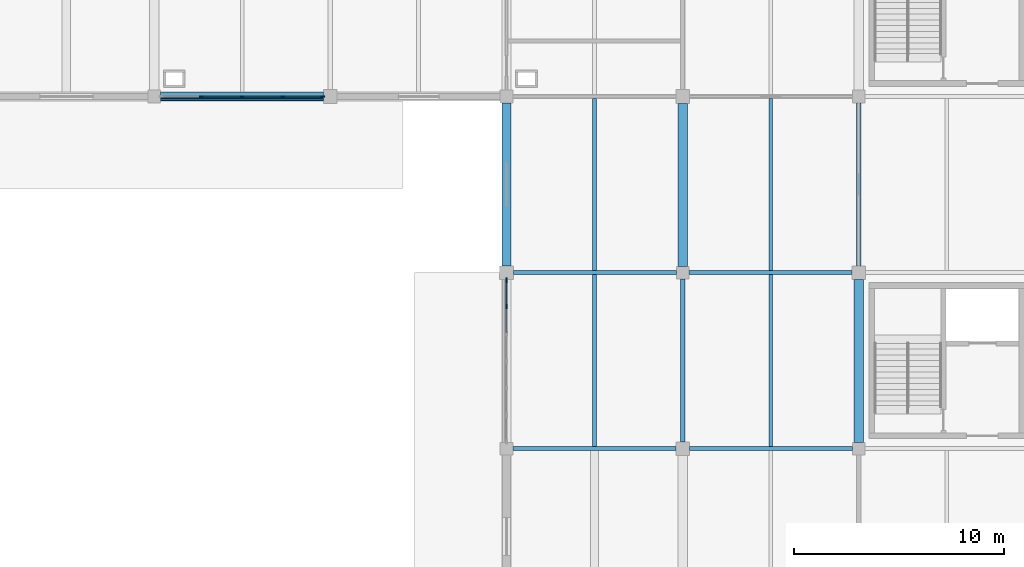
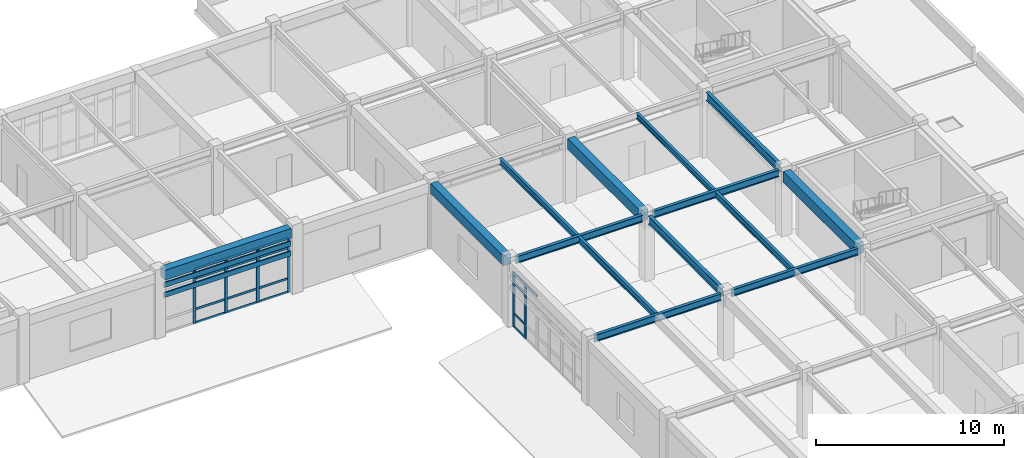
# One storey, part 33 of 78: 25 members, 14 beams, 2 elements without a shape of their own.
"""IFC4 building model written with IfcOpenShell, lengths in metres."""

from ifc_helpers import new_model, si_unit, direction, frame, origin, origin_2d, place, context, subcontext, project, spatial, rectangle, i_section, extrude, material, layer, layer_set, material_profile, profile_set, type_object, element, aggregate, save


model = new_model("IFC4")

# Units and contexts
model_context = context("Model", 3, precision=1e-05, world=origin(), true_north=direction((0.0, 1.0)))
body_context = subcontext(model_context, "Body", "Model", "MODEL_VIEW")
ifc_project = project(units=[si_unit("LENGTHUNIT", "METRE"), si_unit("AREAUNIT", "SQUARE_METRE"), si_unit("VOLUMEUNIT", "CUBIC_METRE"), si_unit("PLANEANGLEUNIT", "RADIAN"), si_unit("MASSUNIT", "GRAM", prefix="KILO")], contexts=[model_context])

# Site, building, storey
site_placement = place(None, origin())
site = spatial("IfcSite", under=ifc_project, at=site_placement, CompositionType="ELEMENT")
building_placement = place(site_placement, origin())
building = spatial("IfcBuilding", under=site, at=building_placement, Name="Porcellanite Civic Hall", CompositionType="ELEMENT")
storey_placement = place(building_placement, frame((0.0, 0.0, 10.260009765625)))
storey = spatial("IfcBuildingStorey", under=building, at=storey_placement, Name="L02", CompositionType="ELEMENT", Elevation=10.260009765625)

# Beams
ifc_material_1 = material(Name="Concrete N50 (50 MPa)", Category="concrete")
ifc_material_profile_1 = material_profile(ifc_material_1, rectangle(XDim=0.449951171875, YDim=0.64990234375, at=origin_2d()), Name="RC-450x650")
ifc_profile_set_1 = profile_set([ifc_material_profile_1], Name="Concrete N50 (50 MPa)")
beam_type_1 = type_object("IfcBeamType", Name="BM-RC650", PredefinedType="SPANDREL", material=ifc_profile_set_1)
beam_1_placement = place(storey_placement, frame((126.299560546875, 50.39990234375, 3.9150390625), z_axis=(1.0, 0.0, 0.0), x_axis=(0.0, 1.0, 0.0)))
element("IfcBeam", 1, at=beam_1_placement, inside=storey, type_object=beam_type_1, Name="Beam X L02 16-7", PredefinedType="SPANDREL", context=body_context, shape_type="SweptSolid", body=[
    extrude(rectangle(XDim=0.449951171875, YDim=0.64990234375, at=origin_2d()), origin(), (0.0, 0.0, 1.0), 7.77587890625),
])
beam_2_placement = place(storey_placement, frame((142.800048828125, 42.324462890625, 3.9150390625), z_axis=(0.0, 1.0, 0.0), x_axis=(-1.0, 0.0, 0.0)))
element("IfcBeam", 2, at=beam_2_placement, inside=storey, type_object=beam_type_1, Name="Beam Y L02 18-6", PredefinedType="SPANDREL", context=body_context, shape_type="SweptSolid", body=[
    extrude(rectangle(XDim=0.449951171875, YDim=0.64990234375, at=origin_2d()), origin(), (0.0, 0.0, 1.0), 7.776123046875),
])
ifc_material_2 = material(Name="Concrete N50 (50 MPa)", Category="concrete")
ifc_material_profile_2 = material_profile(ifc_material_2, rectangle(XDim=0.449951171875, YDim=0.699951171875, at=origin_2d()), Name="RC-450x700")
ifc_profile_set_2 = profile_set([ifc_material_profile_2], Name="Concrete N50 (50 MPa)")
beam_type_2 = type_object("IfcBeamType", Name="BM-RC700", PredefinedType="BEAM", material=ifc_profile_set_2)
beam_3_placement = place(storey_placement, frame((151.199951171875, 42.299560546875, 3.889892578125), z_axis=(0.0, 1.0, 0.0), x_axis=(-1.0, 0.0, 0.0)))
element("IfcBeam", 3, at=beam_3_placement, inside=storey, type_object=beam_type_2, Name="Beam Y L02 19-6", PredefinedType="BEAM", context=body_context, shape_type="SweptSolid", body=[
    extrude(rectangle(XDim=0.449951171875, YDim=0.699951171875, at=origin_2d()), origin(), (0.0, 0.0, 1.0), 7.77587890625),
])
beam_4_placement = place(storey_placement, frame((159.60009765625, 33.8994140625, 3.889892578125), z_axis=(0.0, 1.0, 0.0), x_axis=(-1.0, 0.0, 0.0)))
element("IfcBeam", 4, at=beam_4_placement, inside=storey, type_object=beam_type_2, Name="Beam Y L02 20-5", PredefinedType="BEAM", context=body_context, shape_type="SweptSolid", body=[
    extrude(rectangle(XDim=0.449951171875, YDim=0.699951171875, at=origin_2d()), origin(), (0.0, 0.0, 1.0), 7.776123046875),
])

# Curtain wall, members
ifc_material_3 = material(Name="Anodised aluminium and solar laminated glass", Category="aluminium")
ifc_layer_1 = layer(ifc_material_3, 0.179931640625)
ifc_layer_set_1 = layer_set([ifc_layer_1], Name="Anodised aluminium and solar laminated glass")
curtain_wall_type_1 = type_object("IfcCurtainWallType", Name="CW-SYS02", PredefinedType="NOTDEFINED", material=ifc_layer_set_1)
curtain_wall_1_placement = place(storey_placement, origin())
curtain_wall_1 = element("IfcCurtainWall", 5, at=curtain_wall_1_placement, inside=storey, type_object=curtain_wall_type_1, Name="Curtain wall CW-175", PredefinedType="NOTDEFINED")
ifc_material_4 = material(Name="Anodised aluminium 6063-T6", Category="aluminium")
ifc_material_profile_3 = material_profile(ifc_material_4, rectangle(XDim=0.074951171875, YDim=0.219970703125, at=origin_2d()), Name="AL-75x220")
ifc_profile_set_3 = profile_set([ifc_material_profile_3], Name="Anodised aluminium 6063-T6")
member_type_1 = type_object("IfcMemberType", Name="CWM-03", PredefinedType="MULLION", material=ifc_profile_set_3)
member_1_placement = place(storey_placement, frame((142.800048828125, 40.37841796875, 0.0), z_axis=(0.0, 0.0, 1.0), x_axis=(-1.0, 0.0, 0.0)))
member_1 = element("IfcMember", 6, at=member_1_placement, type_object=member_type_1, Name="CW-175 mullion 6", PredefinedType="MULLION", context=body_context, shape_type="SweptSolid", body=[
    extrude(rectangle(XDim=0.074951171875, YDim=0.219970703125, at=origin_2d()), origin(), (0.0, 0.0, 1.0), 3.5400390625),
])
member_2_placement = place(storey_placement, frame((142.800048828125, 41.636474609375, 0.0), z_axis=(0.0, 0.0, 1.0), x_axis=(-1.0, 0.0, 0.0)))
member_2 = element("IfcMember", 7, at=member_2_placement, type_object=member_type_1, Name="CW-175 mullion 7", PredefinedType="MULLION", context=body_context, shape_type="SweptSolid", body=[
    extrude(rectangle(XDim=0.074951171875, YDim=0.219970703125, at=origin_2d()), origin(), (0.0, 0.0, 1.0), 3.5400390625),
])

ifc_material_5 = material(Name="Anodised aluminium and solar laminated glass", Category="aluminium")
ifc_layer_2 = layer(ifc_material_5, 0.179931640625)
ifc_layer_set_2 = layer_set([ifc_layer_2], Name="Anodised aluminium and solar laminated glass")
curtain_wall_type_2 = type_object("IfcCurtainWallType", Name="CW-SYS06", PredefinedType="NOTDEFINED", material=ifc_layer_set_2)
curtain_wall_2_placement = place(storey_placement, origin())
curtain_wall_2 = element("IfcCurtainWall", 8, at=curtain_wall_2_placement, inside=storey, type_object=curtain_wall_type_2, Name="Curtain wall CW-170", PredefinedType="NOTDEFINED")
ifc_material_6 = material(Name="Anodised aluminium 6063-T6", Category="aluminium")
ifc_material_profile_4 = material_profile(ifc_material_6, rectangle(XDim=0.06494140625, YDim=0.179931640625, at=origin_2d()), Name="AL-65x180")
ifc_profile_set_4 = profile_set([ifc_material_profile_4], Name="Anodised aluminium 6063-T6")
member_type_2 = type_object("IfcMemberType", Name="CWM-06", PredefinedType="MULLION", material=ifc_profile_set_4)
member_3_placement = place(storey_placement, frame((134.04150390625, 50.39990234375, 0.0), z_axis=(0.0, 0.0, 1.0), x_axis=(0.0, -1.0, 0.0)))
member_3 = element("IfcMember", 9, at=member_3_placement, type_object=member_type_2, Name="CW-170 mullion 1", PredefinedType="MULLION", context=body_context, shape_type="SweptSolid", body=[
    extrude(rectangle(XDim=0.06494140625, YDim=0.179931640625, at=origin_2d()), origin(), (0.0, 0.0, 1.0), 3.5400390625),
])
member_4_placement = place(storey_placement, frame((132.130859375, 50.39990234375, 0.0), z_axis=(0.0, 0.0, 1.0), x_axis=(0.0, -1.0, 0.0)))
member_4 = element("IfcMember", 10, at=member_4_placement, type_object=member_type_2, Name="CW-170 mullion 2", PredefinedType="MULLION", context=body_context, shape_type="SweptSolid", body=[
    extrude(rectangle(XDim=0.06494140625, YDim=0.179931640625, at=origin_2d()), origin(), (0.0, 0.0, 1.0), 3.5400390625),
])
member_5_placement = place(storey_placement, frame((130.1875, 50.39990234375, 0.0), z_axis=(0.0, 0.0, 1.0), x_axis=(0.0, -1.0, 0.0)))
member_5 = element("IfcMember", 11, at=member_5_placement, type_object=member_type_2, Name="CW-170 mullion 3", PredefinedType="MULLION", context=body_context, shape_type="SweptSolid", body=[
    extrude(rectangle(XDim=0.06494140625, YDim=0.179931640625, at=origin_2d()), origin(), (0.0, 0.0, 1.0), 3.5400390625),
])
member_6_placement = place(storey_placement, frame((128.244140625, 50.39990234375, 0.0), z_axis=(0.0, 0.0, 1.0), x_axis=(0.0, -1.0, 0.0)))
member_6 = element("IfcMember", 12, at=member_6_placement, type_object=member_type_2, Name="CW-170 mullion 4", PredefinedType="MULLION", context=body_context, shape_type="SweptSolid", body=[
    extrude(rectangle(XDim=0.06494140625, YDim=0.179931640625, at=origin_2d()), origin(), (0.0, 0.0, 1.0), 3.5400390625),
])

# Member
ifc_material_7 = material(Name="Anodised aluminium 6063-T6", Category="aluminium")
ifc_material_profile_5 = material_profile(ifc_material_7, rectangle(XDim=0.06494140625, YDim=0.14990234375, at=origin_2d()), Name="AL-65x150")
ifc_profile_set_5 = profile_set([ifc_material_profile_5], Name="Anodised aluminium 6063-T6")
member_type_3 = type_object("IfcMemberType", Name="CWT-02", PredefinedType="USERDEFINED", material=ifc_profile_set_5)
member_7_placement = place(storey_placement, frame((142.800048828125, 39.12060546875, 3.507568359375), z_axis=(0.0, 1.0, 0.0), x_axis=(-1.0, 0.0, 0.0)))
member_7 = element("IfcMember", 13, at=member_7_placement, type_object=member_type_3, Name="CW-175 transom 5.4", ObjectType="TRANSOM", PredefinedType="USERDEFINED", context=body_context, shape_type="SweptSolid", body=[
    extrude(rectangle(XDim=0.06494140625, YDim=0.14990234375, at=origin_2d()), origin(), (0.0, 0.0, 1.0), 1.220458984375),
])

member_8_placement = place(storey_placement, frame((142.800048828125, 40.416015625, 0.032470703125), z_axis=(0.0, 1.0, 0.0), x_axis=(-1.0, 0.0, 0.0)))
member_8 = element("IfcMember", 14, at=member_8_placement, type_object=member_type_3, Name="CW-175 transom 6.1", ObjectType="TRANSOM", PredefinedType="USERDEFINED", context=body_context, shape_type="SweptSolid", body=[
    extrude(rectangle(XDim=0.06494140625, YDim=0.14990234375, at=origin_2d()), origin(), (0.0, 0.0, 1.0), 1.18310546875),
])

member_9_placement = place(storey_placement, frame((142.800048828125, 40.416015625, 0.89990234375), z_axis=(0.0, 1.0, 0.0), x_axis=(-1.0, 0.0, 0.0)))
member_9 = element("IfcMember", 15, at=member_9_placement, type_object=member_type_3, Name="CW-175 transom 6.2", ObjectType="TRANSOM", PredefinedType="USERDEFINED", context=body_context, shape_type="SweptSolid", body=[
    extrude(rectangle(XDim=0.06494140625, YDim=0.14990234375, at=origin_2d()), origin(), (0.0, 0.0, 1.0), 1.18310546875),
])

member_10_placement = place(storey_placement, frame((142.800048828125, 40.416015625, 2.889892578125), z_axis=(0.0, 1.0, 0.0), x_axis=(-1.0, 0.0, 0.0)))
member_10 = element("IfcMember", 16, at=member_10_placement, type_object=member_type_3, Name="CW-175 transom 6.3", ObjectType="TRANSOM", PredefinedType="USERDEFINED", context=body_context, shape_type="SweptSolid", body=[
    extrude(rectangle(XDim=0.06494140625, YDim=0.14990234375, at=origin_2d()), origin(), (0.0, 0.0, 1.0), 1.18310546875),
])

member_11_placement = place(storey_placement, frame((142.800048828125, 40.416015625, 3.507568359375), z_axis=(0.0, 1.0, 0.0), x_axis=(-1.0, 0.0, 0.0)))
member_11 = element("IfcMember", 17, at=member_11_placement, type_object=member_type_3, Name="CW-175 transom 6.4", ObjectType="TRANSOM", PredefinedType="USERDEFINED", context=body_context, shape_type="SweptSolid", body=[
    extrude(rectangle(XDim=0.06494140625, YDim=0.14990234375, at=origin_2d()), origin(), (0.0, 0.0, 1.0), 1.18310546875),
])

aggregate(curtain_wall_1, [member_1, member_2, member_7, member_8, member_9, member_10, member_11])

ifc_material_8 = material(Name="Anodised aluminium 6063-T6", Category="aluminium")
ifc_material_profile_6 = material_profile(ifc_material_8, rectangle(XDim=0.050048828125, YDim=0.139892578125, at=origin_2d()), Name="AL-50x140")
ifc_profile_set_6 = profile_set([ifc_material_profile_6], Name="Anodised aluminium 6063-T6")
member_type_4 = type_object("IfcMemberType", Name="CWT-06", PredefinedType="USERDEFINED", material=ifc_profile_set_6)
member_12_placement = place(storey_placement, frame((134.009033203125, 50.39990234375, 0.02490234375), z_axis=(-1.0, 0.0, 0.0), x_axis=(0.0, -1.0, 0.0)))
member_12 = element("IfcMember", 18, at=member_12_placement, type_object=member_type_4, Name="CW-170 transom 1.1", ObjectType="TRANSOM", PredefinedType="USERDEFINED", context=body_context, shape_type="SweptSolid", body=[
    extrude(rectangle(XDim=0.050048828125, YDim=0.139892578125, at=origin_2d()), origin(), (0.0, 0.0, 1.0), 1.845703125),
])

member_13_placement = place(storey_placement, frame((134.009033203125, 50.39990234375, 0.89990234375), z_axis=(-1.0, 0.0, 0.0), x_axis=(0.0, -1.0, 0.0)))
member_13 = element("IfcMember", 19, at=member_13_placement, type_object=member_type_4, Name="CW-170 transom 1.2", ObjectType="TRANSOM", PredefinedType="USERDEFINED", context=body_context, shape_type="SweptSolid", body=[
    extrude(rectangle(XDim=0.050048828125, YDim=0.139892578125, at=origin_2d()), origin(), (0.0, 0.0, 1.0), 1.845703125),
])

member_14_placement = place(storey_placement, frame((134.009033203125, 50.39990234375, 2.889892578125), z_axis=(-1.0, 0.0, 0.0), x_axis=(0.0, -1.0, 0.0)))
member_14 = element("IfcMember", 20, at=member_14_placement, type_object=member_type_4, Name="CW-170 transom 1.3", ObjectType="TRANSOM", PredefinedType="USERDEFINED", context=body_context, shape_type="SweptSolid", body=[
    extrude(rectangle(XDim=0.050048828125, YDim=0.139892578125, at=origin_2d()), origin(), (0.0, 0.0, 1.0), 1.845703125),
])

member_15_placement = place(storey_placement, frame((134.009033203125, 50.39990234375, 3.514892578125), z_axis=(-1.0, 0.0, 0.0), x_axis=(0.0, -1.0, 0.0)))
member_15 = element("IfcMember", 21, at=member_15_placement, type_object=member_type_4, Name="CW-170 transom 1.4", ObjectType="TRANSOM", PredefinedType="USERDEFINED", context=body_context, shape_type="SweptSolid", body=[
    extrude(rectangle(XDim=0.050048828125, YDim=0.139892578125, at=origin_2d()), origin(), (0.0, 0.0, 1.0), 1.845703125),
])

member_16_placement = place(storey_placement, frame((132.09814453125, 50.39990234375, 0.02490234375), z_axis=(-1.0, 0.0, 0.0), x_axis=(0.0, -1.0, 0.0)))
member_16 = element("IfcMember", 22, at=member_16_placement, type_object=member_type_4, Name="CW-170 transom 2.1", ObjectType="TRANSOM", PredefinedType="USERDEFINED", context=body_context, shape_type="SweptSolid", body=[
    extrude(rectangle(XDim=0.050048828125, YDim=0.139892578125, at=origin_2d()), origin(), (0.0, 0.0, 1.0), 1.878173828125),
])

member_17_placement = place(storey_placement, frame((132.09814453125, 50.39990234375, 0.89990234375), z_axis=(-1.0, 0.0, 0.0), x_axis=(0.0, -1.0, 0.0)))
member_17 = element("IfcMember", 23, at=member_17_placement, type_object=member_type_4, Name="CW-170 transom 2.2", ObjectType="TRANSOM", PredefinedType="USERDEFINED", context=body_context, shape_type="SweptSolid", body=[
    extrude(rectangle(XDim=0.050048828125, YDim=0.139892578125, at=origin_2d()), origin(), (0.0, 0.0, 1.0), 1.878173828125),
])

member_18_placement = place(storey_placement, frame((132.09814453125, 50.39990234375, 2.889892578125), z_axis=(-1.0, 0.0, 0.0), x_axis=(0.0, -1.0, 0.0)))
member_18 = element("IfcMember", 24, at=member_18_placement, type_object=member_type_4, Name="CW-170 transom 2.3", ObjectType="TRANSOM", PredefinedType="USERDEFINED", context=body_context, shape_type="SweptSolid", body=[
    extrude(rectangle(XDim=0.050048828125, YDim=0.139892578125, at=origin_2d()), origin(), (0.0, 0.0, 1.0), 1.878173828125),
])

member_19_placement = place(storey_placement, frame((132.09814453125, 50.39990234375, 3.514892578125), z_axis=(-1.0, 0.0, 0.0), x_axis=(0.0, -1.0, 0.0)))
member_19 = element("IfcMember", 25, at=member_19_placement, type_object=member_type_4, Name="CW-170 transom 2.4", ObjectType="TRANSOM", PredefinedType="USERDEFINED", context=body_context, shape_type="SweptSolid", body=[
    extrude(rectangle(XDim=0.050048828125, YDim=0.139892578125, at=origin_2d()), origin(), (0.0, 0.0, 1.0), 1.878173828125),
])

member_20_placement = place(storey_placement, frame((130.155029296875, 50.39990234375, 0.02490234375), z_axis=(-1.0, 0.0, 0.0), x_axis=(0.0, -1.0, 0.0)))
member_20 = element("IfcMember", 26, at=member_20_placement, type_object=member_type_4, Name="CW-170 transom 3.1", ObjectType="TRANSOM", PredefinedType="USERDEFINED", context=body_context, shape_type="SweptSolid", body=[
    extrude(rectangle(XDim=0.050048828125, YDim=0.139892578125, at=origin_2d()), origin(), (0.0, 0.0, 1.0), 1.878173828125),
])

member_21_placement = place(storey_placement, frame((130.155029296875, 50.39990234375, 0.89990234375), z_axis=(-1.0, 0.0, 0.0), x_axis=(0.0, -1.0, 0.0)))
member_21 = element("IfcMember", 27, at=member_21_placement, type_object=member_type_4, Name="CW-170 transom 3.2", ObjectType="TRANSOM", PredefinedType="USERDEFINED", context=body_context, shape_type="SweptSolid", body=[
    extrude(rectangle(XDim=0.050048828125, YDim=0.139892578125, at=origin_2d()), origin(), (0.0, 0.0, 1.0), 1.878173828125),
])

member_22_placement = place(storey_placement, frame((130.155029296875, 50.39990234375, 2.889892578125), z_axis=(-1.0, 0.0, 0.0), x_axis=(0.0, -1.0, 0.0)))
member_22 = element("IfcMember", 28, at=member_22_placement, type_object=member_type_4, Name="CW-170 transom 3.3", ObjectType="TRANSOM", PredefinedType="USERDEFINED", context=body_context, shape_type="SweptSolid", body=[
    extrude(rectangle(XDim=0.050048828125, YDim=0.139892578125, at=origin_2d()), origin(), (0.0, 0.0, 1.0), 1.878173828125),
])

member_23_placement = place(storey_placement, frame((130.155029296875, 50.39990234375, 3.514892578125), z_axis=(-1.0, 0.0, 0.0), x_axis=(0.0, -1.0, 0.0)))
member_23 = element("IfcMember", 29, at=member_23_placement, type_object=member_type_4, Name="CW-170 transom 3.4", ObjectType="TRANSOM", PredefinedType="USERDEFINED", context=body_context, shape_type="SweptSolid", body=[
    extrude(rectangle(XDim=0.050048828125, YDim=0.139892578125, at=origin_2d()), origin(), (0.0, 0.0, 1.0), 1.878173828125),
])

aggregate(curtain_wall_2, [member_3, member_4, member_5, member_6, member_12, member_13, member_14, member_15, member_16, member_17, member_18, member_19, member_20, member_21, member_22, member_23])

# Beams
ifc_material_9 = material(Name="Steel Grade 350", Category="steel")
ifc_material_profile_7 = material_profile(ifc_material_9, i_section(OverallWidth=0.172119140625, OverallDepth=0.35888671875, WebThickness=0.008056640625, FlangeThickness=0.012939453125, FilletRadius=0.011474609375, at=origin_2d()), Name="360UB56.7")
ifc_profile_set_7 = profile_set([ifc_material_profile_7], Name="Steel Grade 350")
beam_type_3 = type_object("IfcBeamType", Name="JST-360UB57", PredefinedType="JOIST", material=ifc_profile_set_7)
beam_5_placement = place(storey_placement, frame((155.39990234375, 42.094482421875, 4.060546875), z_axis=(0.0, 1.0, 0.0), x_axis=(-1.0, 0.0, 0.0)))
element("IfcBeam", 30, at=beam_5_placement, inside=storey, type_object=beam_type_3, Name="Secondary joist L02 19-6", PredefinedType="JOIST", context=body_context, shape_type="SweptSolid", body=[
    extrude(i_section(OverallWidth=0.172119140625, OverallDepth=0.35888671875, WebThickness=0.008056640625, FlangeThickness=0.012939453125, FilletRadius=0.011474609375, at=origin_2d()), origin(), (0.0, 0.0, 1.0), 8.2109375),
])
ifc_material_10 = material(Name="Steel Grade 350", Category="steel")
ifc_material_profile_8 = material_profile(ifc_material_10, i_section(OverallWidth=0.177978515625, OverallDepth=0.403076171875, WebThickness=0.007568359375, FlangeThickness=0.010986328125, FilletRadius=0.011474609375, at=origin_2d()), Name="410UB53.7")
ifc_profile_set_8 = profile_set([ifc_material_profile_8], Name="Steel Grade 350")
beam_type_4 = type_object("IfcBeamType", Name="JST-410UB54", PredefinedType="JOIST", material=ifc_profile_set_8)
for number, where, z_axis, x_axis, name in (
    (31, (147.0, 42.094482421875, 4.03857421875), (0.0, 1.0, 0.0), (-1.0, 0.0, 0.0), "Secondary joist L02 18-6"),
    (32, (155.39990234375, 33.694580078125, 4.03857421875), (0.0, 1.0, 0.0), (-1.0, 0.0, 0.0), "Secondary joist L02 19-5"),
):
    element("IfcBeam", number, at=place(storey_placement, frame(where, z_axis=z_axis, x_axis=x_axis)), inside=storey, type_object=beam_type_4, Name=name, PredefinedType="JOIST", context=body_context, shape_type="SweptSolid", body=[
        extrude(i_section(OverallWidth=0.177978515625, OverallDepth=0.403076171875, WebThickness=0.007568359375, FlangeThickness=0.010986328125, FilletRadius=0.011474609375, at=origin_2d()), origin(), (0.0, 0.0, 1.0), 8.2109375),
    ])
ifc_material_11 = material(Name="Steel Grade 350", Category="steel")
ifc_material_profile_9 = material_profile(ifc_material_11, i_section(OverallWidth=0.177978515625, OverallDepth=0.406005859375, WebThickness=0.0078125, FlangeThickness=0.0126953125, FilletRadius=0.011474609375, at=origin_2d()), Name="410UB59.7")
ifc_profile_set_9 = profile_set([ifc_material_profile_9], Name="Steel Grade 350")
beam_type_5 = type_object("IfcBeamType", Name="JST-410UB60", PredefinedType="JOIST", material=ifc_profile_set_9)
beam_6_placement = place(storey_placement, frame((147.0, 33.694580078125, 4.037109375), z_axis=(0.0, 1.0, 0.0), x_axis=(-1.0, 0.0, 0.0)))
element("IfcBeam", 33, at=beam_6_placement, inside=storey, type_object=beam_type_5, Name="Secondary joist L02 18-5", PredefinedType="JOIST", context=body_context, shape_type="SweptSolid", body=[
    extrude(i_section(OverallWidth=0.177978515625, OverallDepth=0.406005859375, WebThickness=0.0078125, FlangeThickness=0.0126953125, FilletRadius=0.011474609375, at=origin_2d()), origin(), (0.0, 0.0, 1.0), 8.2109375),
])

# Members
ifc_material_12 = material(Name="Fluoropolymer bauxite-red aluminium 6063-T6", Category="aluminium")
ifc_material_profile_10 = material_profile(ifc_material_12, rectangle(XDim=0.080078125, YDim=0.320068359375, at=origin_2d()), Name="AL-80x320")
ifc_profile_set_10 = profile_set([ifc_material_profile_10], Name="Fluoropolymer bauxite-red aluminium 6063-T6")
member_type_5 = type_object("IfcMemberType", Name="LV-BLD03", PredefinedType="USERDEFINED", material=ifc_profile_set_10)
for number, where, z_axis, x_axis, name in (
    (34, (134.075439453125, 50.26806640625, 3.239990234375), (-1.0, 0.0, 0.0), (0.0, -1.0, 0.0), "Cyclone sunshade louvre L02 S 15-6 1"),
    (35, (134.075439453125, 50.26806640625, 2.590087890625), (-1.0, 0.0, 0.0), (0.0, -1.0, 0.0), "Cyclone sunshade louvre L02 S 15-6 2"),
):
    element("IfcMember", number, at=place(storey_placement, frame(where, z_axis=z_axis, x_axis=x_axis)), inside=storey, type_object=member_type_5, Name=name, ObjectType="LOUVRE BLADE", PredefinedType="USERDEFINED", context=body_context, shape_type="SweptSolid", body=[
        extrude(rectangle(XDim=0.080078125, YDim=0.320068359375, at=origin_2d()), origin(), (0.0, 0.0, 1.0), 7.77587890625),
    ])

# Beams
ifc_material_13 = material(Name="Steel Grade 350", Category="steel")
ifc_material_profile_11 = material_profile(ifc_material_13, i_section(OverallWidth=0.18994140625, OverallDepth=0.4541015625, WebThickness=0.008544921875, FlangeThickness=0.0126953125, FilletRadius=0.011474609375, at=origin_2d()), Name="460UB67.1")
ifc_profile_set_11 = profile_set([ifc_material_profile_11], Name="Steel Grade 350")
beam_type_6 = type_object("IfcBeamType", Name="RAF-460UB67", PredefinedType="BEAM", material=ifc_profile_set_11)
for number, where, z_axis, x_axis, name in (
    (36, (143.099609375, 33.60009765625, 4.012939453125), (1.0, 0.0, 0.0), (0.0, 1.0, 0.0), "Beam X L02 18-5"),
    (37, (143.12451171875, 42.0, 4.012939453125), (1.0, 0.0, 0.0), (0.0, 1.0, 0.0), "Beam X L02 18-6"),
):
    element("IfcBeam", number, at=place(storey_placement, frame(where, z_axis=z_axis, x_axis=x_axis)), inside=storey, type_object=beam_type_6, Name=name, PredefinedType="BEAM", context=body_context, shape_type="SweptSolid", body=[
        extrude(i_section(OverallWidth=0.18994140625, OverallDepth=0.4541015625, WebThickness=0.008544921875, FlangeThickness=0.0126953125, FilletRadius=0.011474609375, at=origin_2d()), origin(), (0.0, 0.0, 1.0), 7.77587890625),
    ])
beam_7_placement = place(storey_placement, frame((151.5244140625, 33.60009765625, 4.012939453125), z_axis=(1.0, 0.0, 0.0), x_axis=(0.0, 1.0, 0.0)))
element("IfcBeam", 38, at=beam_7_placement, inside=storey, type_object=beam_type_6, Name="Beam X L02 19-5", PredefinedType="BEAM", context=body_context, shape_type="SweptSolid", body=[
    extrude(i_section(OverallWidth=0.18994140625, OverallDepth=0.4541015625, WebThickness=0.008544921875, FlangeThickness=0.0126953125, FilletRadius=0.011474609375, at=origin_2d()), origin(), (0.0, 0.0, 1.0), 7.776123046875),
])
beam_8_placement = place(storey_placement, frame((151.49951171875, 42.0, 4.012939453125), z_axis=(1.0, 0.0, 0.0), x_axis=(0.0, 1.0, 0.0)))
element("IfcBeam", 39, at=beam_8_placement, inside=storey, type_object=beam_type_6, Name="Beam X L02 19-6", PredefinedType="BEAM", context=body_context, shape_type="SweptSolid", body=[
    extrude(i_section(OverallWidth=0.18994140625, OverallDepth=0.4541015625, WebThickness=0.008544921875, FlangeThickness=0.0126953125, FilletRadius=0.011474609375, at=origin_2d()), origin(), (0.0, 0.0, 1.0), 7.77587890625),
])
ifc_material_14 = material(Name="Steel Grade 350", Category="steel")
ifc_material_profile_12 = material_profile(ifc_material_14, i_section(OverallWidth=0.208984375, OverallDepth=0.528076171875, WebThickness=0.009521484375, FlangeThickness=0.01318359375, FilletRadius=0.013916015625, at=origin_2d()), Name="530UB82.0")
ifc_profile_set_12 = profile_set([ifc_material_profile_12], Name="Steel Grade 350")
beam_type_7 = type_object("IfcBeamType", Name="RAF-530UB82", PredefinedType="BEAM", material=ifc_profile_set_12)
beam_9_placement = place(storey_placement, frame((151.199951171875, 33.924560546875, 3.97607421875), z_axis=(0.0, 1.0, 0.0), x_axis=(-1.0, 0.0, 0.0)))
element("IfcBeam", 40, at=beam_9_placement, inside=storey, type_object=beam_type_7, Name="Beam Y L02 19-5", PredefinedType="BEAM", context=body_context, shape_type="SweptSolid", body=[
    extrude(i_section(OverallWidth=0.208984375, OverallDepth=0.528076171875, WebThickness=0.009521484375, FlangeThickness=0.01318359375, FilletRadius=0.013916015625, at=origin_2d()), origin(), (0.0, 0.0, 1.0), 7.77587890625),
])
beam_10_placement = place(storey_placement, frame((159.60009765625, 42.324462890625, 3.97607421875), z_axis=(0.0, 1.0, 0.0), x_axis=(-1.0, 0.0, 0.0)))
element("IfcBeam", 41, at=beam_10_placement, inside=storey, type_object=beam_type_7, Name="Beam Y L02 20-6", PredefinedType="BEAM", context=body_context, shape_type="SweptSolid", body=[
    extrude(i_section(OverallWidth=0.208984375, OverallDepth=0.528076171875, WebThickness=0.009521484375, FlangeThickness=0.01318359375, FilletRadius=0.013916015625, at=origin_2d()), origin(), (0.0, 0.0, 1.0), 7.776123046875),
])

save(model, "model.ifc")
